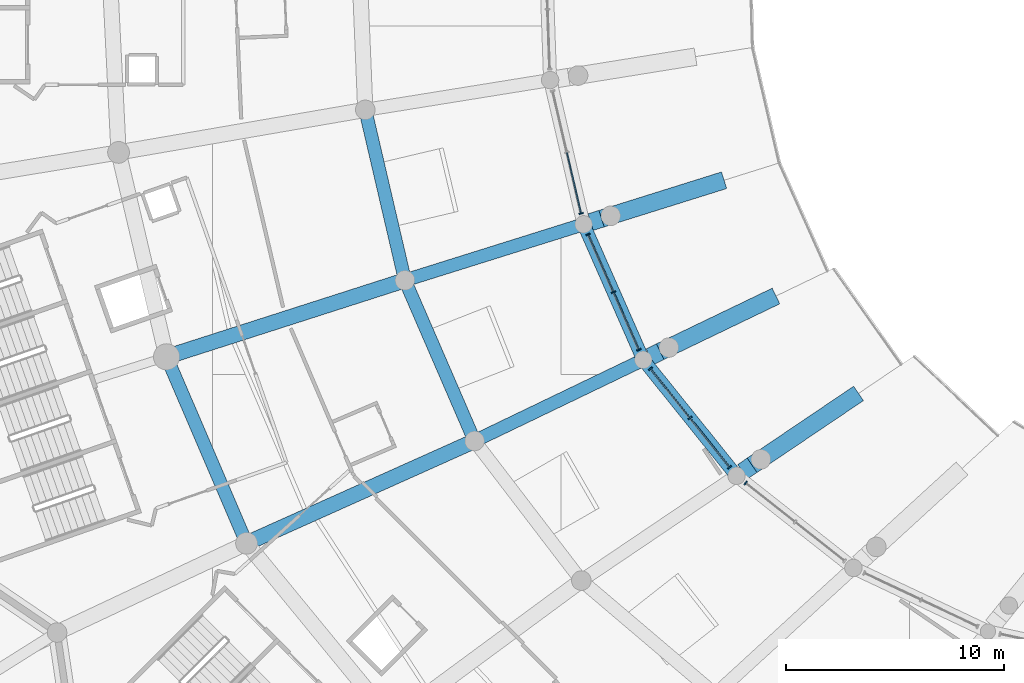
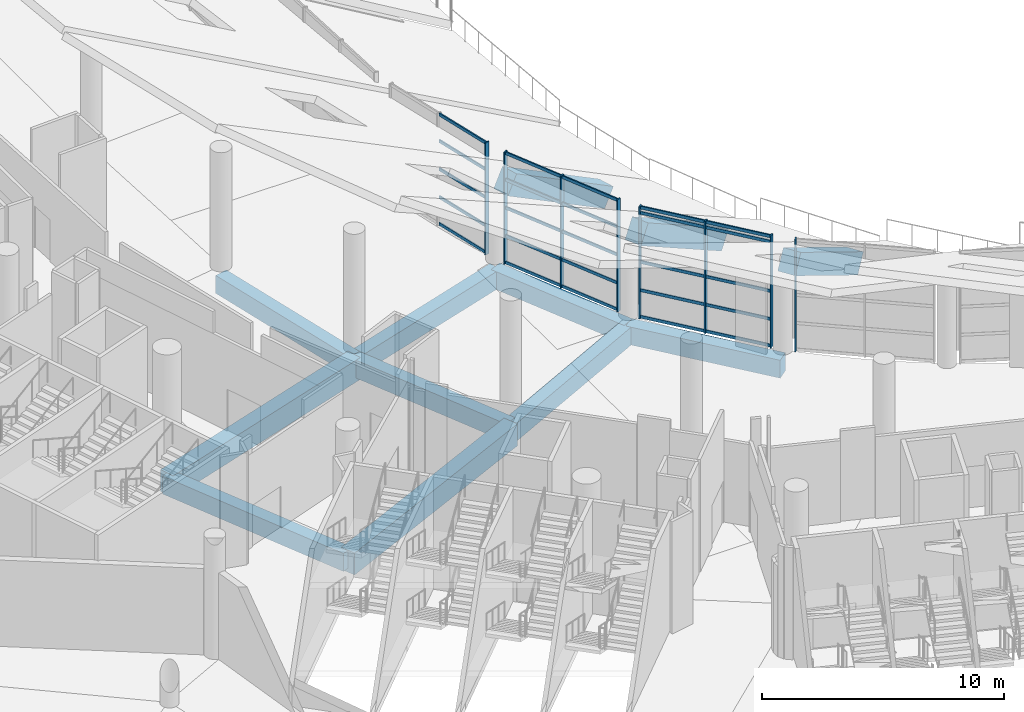
# One storey, part 11 of 249: 33 members, 12 beams, 4 elements without a shape of their own.
"""IFC4 building model written with IfcOpenShell, lengths in metres."""

from ifc_helpers import new_model, si_unit, direction, frame, origin, origin_2d, place, context, subcontext, project, spatial, rectangle, extrude, material, layer, layer_set, material_profile, profile_set, type_object, element, aggregate, save


model = new_model("IFC4")

# Units and contexts
model_context = context("Model", 3, precision=1e-05, world=origin(), true_north=direction((0.0, 1.0)))
body_context = subcontext(model_context, "Body", "Model", "MODEL_VIEW")
ifc_project = project(units=[si_unit("LENGTHUNIT", "METRE"), si_unit("AREAUNIT", "SQUARE_METRE"), si_unit("VOLUMEUNIT", "CUBIC_METRE"), si_unit("PLANEANGLEUNIT", "RADIAN"), si_unit("MASSUNIT", "GRAM", prefix="KILO")], contexts=[model_context])

# Site, building, storey
site_placement = place(None, origin())
site = spatial("IfcSite", under=ifc_project, at=site_placement, CompositionType="ELEMENT")
building_placement = place(site_placement, origin())
building = spatial("IfcBuilding", under=site, at=building_placement, Name="Meseta Stadium", CompositionType="ELEMENT")
storey_placement = place(building_placement, frame((0.0, 0.0, 12.0)))
storey = spatial("IfcBuildingStorey", under=building, at=storey_placement, Name="L02", CompositionType="ELEMENT", Elevation=12.0)

# Curtain wall, member
ifc_material_1 = material(Name="Aluminium", Category="aluminium")
ifc_layer = layer(ifc_material_1, 0.199951171875)
ifc_layer_set = layer_set([ifc_layer], Name="Suite glazing curtain wall")
curtain_wall_type = type_object("IfcCurtainWallType", Name="Suite glazing curtain wall", PredefinedType="NOTDEFINED", material=ifc_layer_set)
curtain_wall_1_placement = place(storey_placement, origin())
curtain_wall_1 = element("IfcCurtainWall", 1, at=curtain_wall_1_placement, inside=storey, type_object=curtain_wall_type, Name="Suite glazing bay 37", PredefinedType="NOTDEFINED")
ifc_material_2 = material(Name="Aluminium", Category="aluminium")
ifc_material_profile_1 = material_profile(ifc_material_2, rectangle(XDim=0.199951171875, YDim=0.06005859375, at=origin_2d()), Name="CW 200x60")
ifc_profile_set_1 = profile_set([ifc_material_profile_1], Name="Aluminium")
member_type_1 = type_object("IfcMemberType", Name="CW mullion 60x200", PredefinedType="MULLION", material=ifc_profile_set_1)
member_1_placement = place(storey_placement, frame((-63.0791015625, -56.607421875, 0.0), z_axis=(0.0, 0.0, 1.0), x_axis=(0.974092857522, 0.226148413492, 0.0)))
member_1 = element("IfcMember", 2, at=member_1_placement, type_object=member_type_1, Name="CWS mullion 3", PredefinedType="MULLION", context=body_context, shape_type="SweptSolid", body=[
    extrude(rectangle(XDim=0.199951171875, YDim=0.06005859375, at=origin_2d()), origin(), (0.0, 0.0, 1.0), 5.64990234375),
])

# Curtain wall, members
curtain_wall_2_placement = place(storey_placement, origin())
curtain_wall_2 = element("IfcCurtainWall", 3, at=curtain_wall_2_placement, inside=storey, type_object=curtain_wall_type, Name="Suite glazing bay 38", PredefinedType="NOTDEFINED")
member_2_placement = place(storey_placement, frame((-62.75732421875, -57.572998046875, 0.0), z_axis=(0.0, 0.0, 1.0), x_axis=(0.915207323968, 0.402983317466, 0.0)))
member_2 = element("IfcMember", 4, at=member_2_placement, type_object=member_type_1, Name="CWS mullion 1", PredefinedType="MULLION", context=body_context, shape_type="SweptSolid", body=[
    extrude(rectangle(XDim=0.199951171875, YDim=0.06005859375, at=origin_2d()), origin(), (0.0, 0.0, 1.0), 5.64990234375),
])
member_3_placement = place(storey_placement, frame((-61.59228515625, -60.21875, 0.0), z_axis=(0.0, 0.0, 1.0), x_axis=(0.915207323968, 0.402983317466, 0.0)))
member_3 = element("IfcMember", 5, at=member_3_placement, type_object=member_type_1, Name="CWS mullion 2", PredefinedType="MULLION", context=body_context, shape_type="SweptSolid", body=[
    extrude(rectangle(XDim=0.199951171875, YDim=0.06005859375, at=origin_2d()), origin(), (0.0, 0.0, 1.0), 5.64990234375),
])
member_4_placement = place(storey_placement, frame((-60.42724609375, -62.864501953125, 0.0), z_axis=(0.0, 0.0, 1.0), x_axis=(0.915207323968, 0.402983317466, 0.0)))
member_4 = element("IfcMember", 6, at=member_4_placement, type_object=member_type_1, Name="CWS mullion 3", PredefinedType="MULLION", context=body_context, shape_type="SweptSolid", body=[
    extrude(rectangle(XDim=0.199951171875, YDim=0.06005859375, at=origin_2d()), origin(), (0.0, 0.0, 1.0), 5.64990234375),
])

curtain_wall_3_placement = place(storey_placement, origin())
curtain_wall_3 = element("IfcCurtainWall", 7, at=curtain_wall_3_placement, inside=storey, type_object=curtain_wall_type, Name="Suite glazing bay 39", PredefinedType="NOTDEFINED")
member_5_placement = place(storey_placement, frame((-59.895263671875, -63.7373046875, 0.0), z_axis=(0.0, 0.0, 1.0), x_axis=(0.779453526357, 0.626460054791, 0.0)))
member_5 = element("IfcMember", 8, at=member_5_placement, type_object=member_type_1, Name="CWS mullion 1", PredefinedType="MULLION", context=body_context, shape_type="SweptSolid", body=[
    extrude(rectangle(XDim=0.199951171875, YDim=0.06005859375, at=origin_2d()), origin(), (0.0, 0.0, 1.0), 5.64990234375),
])
member_6_placement = place(storey_placement, frame((-58.07763671875, -65.998779296875, 0.0), z_axis=(0.0, 0.0, 1.0), x_axis=(0.779453526357, 0.626460054791, 0.0)))
member_6 = element("IfcMember", 9, at=member_6_placement, type_object=member_type_1, Name="CWS mullion 2", PredefinedType="MULLION", context=body_context, shape_type="SweptSolid", body=[
    extrude(rectangle(XDim=0.199951171875, YDim=0.06005859375, at=origin_2d()), origin(), (0.0, 0.0, 1.0), 5.64990234375),
])
member_7_placement = place(storey_placement, frame((-56.26025390625, -68.260009765625, 0.0), z_axis=(0.0, 0.0, 1.0), x_axis=(0.779453526357, 0.626460054791, 0.0)))
member_7 = element("IfcMember", 10, at=member_7_placement, type_object=member_type_1, Name="CWS mullion 3", PredefinedType="MULLION", context=body_context, shape_type="SweptSolid", body=[
    extrude(rectangle(XDim=0.199951171875, YDim=0.06005859375, at=origin_2d()), origin(), (0.0, 0.0, 1.0), 5.64990234375),
])

# Curtain wall, member
curtain_wall_4_placement = place(storey_placement, origin())
curtain_wall_4 = element("IfcCurtainWall", 11, at=curtain_wall_4_placement, inside=storey, type_object=curtain_wall_type, Name="Suite glazing bay 40", PredefinedType="NOTDEFINED")
member_8_placement = place(storey_placement, frame((-55.521728515625, -68.98779296875, 0.0), z_axis=(0.0, 0.0, 1.0), x_axis=(0.61894425509, 0.785434917158, 0.0)))
member_8 = element("IfcMember", 12, at=member_8_placement, type_object=member_type_1, Name="CWS mullion 1", PredefinedType="MULLION", context=body_context, shape_type="SweptSolid", body=[
    extrude(rectangle(XDim=0.199951171875, YDim=0.06005859375, at=origin_2d()), origin(), (0.0, 0.0, 1.0), 5.64990234375),
])
aggregate(curtain_wall_4, [member_8])

# Member
ifc_material_3 = material(Name="Aluminium", Category="aluminium")
ifc_material_profile_2 = material_profile(ifc_material_3, rectangle(XDim=0.06005859375, YDim=0.14990234375, at=origin_2d()), Name="CW 60x150")
ifc_profile_set_2 = profile_set([ifc_material_profile_2], Name="Aluminium")
member_type_2 = type_object("IfcMemberType", Name="CW transom 60x150", PredefinedType="USERDEFINED", material=ifc_profile_set_2)
member_9_placement = place(storey_placement, frame((-63.725830078125, -53.821044921875, 0.074951171875), z_axis=(0.226163322124, -0.974089396167, 0.0), x_axis=(0.974089396167, 0.226163322124, 0.0)))
member_9 = element("IfcMember", 13, at=member_9_placement, type_object=member_type_2, Name="CWS transom 2.1", ObjectType="TRANSOM", PredefinedType="USERDEFINED", context=body_context, shape_type="SweptSolid", body=[
    extrude(rectangle(XDim=0.06005859375, YDim=0.14990234375, at=origin_2d()), origin(), (0.0, 0.0, 1.0), 2.830322265625),
])

member_10_placement = place(storey_placement, frame((-63.725830078125, -53.821044921875, 1.41259765625), z_axis=(0.226163322124, -0.974089396167, 0.0), x_axis=(0.974089396167, 0.226163322124, 0.0)))
member_10 = element("IfcMember", 14, at=member_10_placement, type_object=member_type_2, Name="CWS transom 2.2", ObjectType="TRANSOM", PredefinedType="USERDEFINED", context=body_context, shape_type="SweptSolid", body=[
    extrude(rectangle(XDim=0.06005859375, YDim=0.14990234375, at=origin_2d()), origin(), (0.0, 0.0, 1.0), 2.830322265625),
])

member_11_placement = place(storey_placement, frame((-63.725830078125, -53.821044921875, 2.824951171875), z_axis=(0.226163322124, -0.974089396167, 0.0), x_axis=(0.974089396167, 0.226163322124, 0.0)))
member_11 = element("IfcMember", 15, at=member_11_placement, type_object=member_type_2, Name="CWS transom 2.3", ObjectType="TRANSOM", PredefinedType="USERDEFINED", context=body_context, shape_type="SweptSolid", body=[
    extrude(rectangle(XDim=0.06005859375, YDim=0.14990234375, at=origin_2d()), origin(), (0.0, 0.0, 1.0), 2.830322265625),
])

member_12_placement = place(storey_placement, frame((-63.725830078125, -53.821044921875, 4.237548828125), z_axis=(0.226163322124, -0.974089396167, 0.0), x_axis=(0.974089396167, 0.226163322124, 0.0)))
member_12 = element("IfcMember", 16, at=member_12_placement, type_object=member_type_2, Name="CWS transom 2.4", ObjectType="TRANSOM", PredefinedType="USERDEFINED", context=body_context, shape_type="SweptSolid", body=[
    extrude(rectangle(XDim=0.06005859375, YDim=0.14990234375, at=origin_2d()), origin(), (0.0, 0.0, 1.0), 2.830322265625),
])

member_13_placement = place(storey_placement, frame((-63.725830078125, -53.821044921875, 5.574951171875), z_axis=(0.226163322124, -0.974089396167, 0.0), x_axis=(0.974089396167, 0.226163322124, 0.0)))
member_13 = element("IfcMember", 17, at=member_13_placement, type_object=member_type_2, Name="CWS transom 2.5", ObjectType="TRANSOM", PredefinedType="USERDEFINED", context=body_context, shape_type="SweptSolid", body=[
    extrude(rectangle(XDim=0.06005859375, YDim=0.14990234375, at=origin_2d()), origin(), (0.0, 0.0, 1.0), 2.830322265625),
])

aggregate(curtain_wall_1, [member_1, member_9, member_10, member_11, member_12, member_13])

member_14_placement = place(storey_placement, frame((-62.7451171875, -57.600341796875, 0.074951171875), z_axis=(0.402935141114, -0.915228535425, 0.0), x_axis=(0.915228535425, 0.402935141114, 0.0)))
member_14 = element("IfcMember", 18, at=member_14_placement, type_object=member_type_2, Name="CWS transom 1.1", ObjectType="TRANSOM", PredefinedType="USERDEFINED", context=body_context, shape_type="SweptSolid", body=[
    extrude(rectangle(XDim=0.06005859375, YDim=0.14990234375, at=origin_2d()), origin(), (0.0, 0.0, 1.0), 2.830810546875),
])

member_15_placement = place(storey_placement, frame((-62.7451171875, -57.600341796875, 1.41259765625), z_axis=(0.402935141114, -0.915228535425, 0.0), x_axis=(0.915228535425, 0.402935141114, 0.0)))
member_15 = element("IfcMember", 19, at=member_15_placement, type_object=member_type_2, Name="CWS transom 1.2", ObjectType="TRANSOM", PredefinedType="USERDEFINED", context=body_context, shape_type="SweptSolid", body=[
    extrude(rectangle(XDim=0.06005859375, YDim=0.14990234375, at=origin_2d()), origin(), (0.0, 0.0, 1.0), 2.830810546875),
])

member_16_placement = place(storey_placement, frame((-62.7451171875, -57.600341796875, 2.824951171875), z_axis=(0.402935141114, -0.915228535425, 0.0), x_axis=(0.915228535425, 0.402935141114, 0.0)))
member_16 = element("IfcMember", 20, at=member_16_placement, type_object=member_type_2, Name="CWS transom 1.3", ObjectType="TRANSOM", PredefinedType="USERDEFINED", context=body_context, shape_type="SweptSolid", body=[
    extrude(rectangle(XDim=0.06005859375, YDim=0.14990234375, at=origin_2d()), origin(), (0.0, 0.0, 1.0), 2.830810546875),
])

member_17_placement = place(storey_placement, frame((-62.7451171875, -57.600341796875, 4.237548828125), z_axis=(0.402935141114, -0.915228535425, 0.0), x_axis=(0.915228535425, 0.402935141114, 0.0)))
member_17 = element("IfcMember", 21, at=member_17_placement, type_object=member_type_2, Name="CWS transom 1.4", ObjectType="TRANSOM", PredefinedType="USERDEFINED", context=body_context, shape_type="SweptSolid", body=[
    extrude(rectangle(XDim=0.06005859375, YDim=0.14990234375, at=origin_2d()), origin(), (0.0, 0.0, 1.0), 2.830810546875),
])

member_18_placement = place(storey_placement, frame((-62.7451171875, -57.600341796875, 5.574951171875), z_axis=(0.402935141114, -0.915228535425, 0.0), x_axis=(0.915228535425, 0.402935141114, 0.0)))
member_18 = element("IfcMember", 22, at=member_18_placement, type_object=member_type_2, Name="CWS transom 1.5", ObjectType="TRANSOM", PredefinedType="USERDEFINED", context=body_context, shape_type="SweptSolid", body=[
    extrude(rectangle(XDim=0.06005859375, YDim=0.14990234375, at=origin_2d()), origin(), (0.0, 0.0, 1.0), 2.830810546875),
])

member_19_placement = place(storey_placement, frame((-61.580322265625, -60.24609375, 0.074951171875), z_axis=(0.402975573282, -0.915210733841, 0.0), x_axis=(0.915210733841, 0.402975573282, 0.0)))
member_19 = element("IfcMember", 23, at=member_19_placement, type_object=member_type_2, Name="CWS transom 2.1", ObjectType="TRANSOM", PredefinedType="USERDEFINED", context=body_context, shape_type="SweptSolid", body=[
    extrude(rectangle(XDim=0.06005859375, YDim=0.14990234375, at=origin_2d()), origin(), (0.0, 0.0, 1.0), 2.8310546875),
])

member_20_placement = place(storey_placement, frame((-61.580322265625, -60.24609375, 1.41259765625), z_axis=(0.402975573282, -0.915210733841, 0.0), x_axis=(0.915210733841, 0.402975573282, 0.0)))
member_20 = element("IfcMember", 24, at=member_20_placement, type_object=member_type_2, Name="CWS transom 2.2", ObjectType="TRANSOM", PredefinedType="USERDEFINED", context=body_context, shape_type="SweptSolid", body=[
    extrude(rectangle(XDim=0.06005859375, YDim=0.14990234375, at=origin_2d()), origin(), (0.0, 0.0, 1.0), 2.8310546875),
])

member_21_placement = place(storey_placement, frame((-61.580322265625, -60.24609375, 2.824951171875), z_axis=(0.402975573282, -0.915210733841, 0.0), x_axis=(0.915210733841, 0.402975573282, 0.0)))
member_21 = element("IfcMember", 25, at=member_21_placement, type_object=member_type_2, Name="CWS transom 2.3", ObjectType="TRANSOM", PredefinedType="USERDEFINED", context=body_context, shape_type="SweptSolid", body=[
    extrude(rectangle(XDim=0.06005859375, YDim=0.14990234375, at=origin_2d()), origin(), (0.0, 0.0, 1.0), 2.8310546875),
])

member_22_placement = place(storey_placement, frame((-61.580322265625, -60.24609375, 4.237548828125), z_axis=(0.402975573282, -0.915210733841, 0.0), x_axis=(0.915210733841, 0.402975573282, 0.0)))
member_22 = element("IfcMember", 26, at=member_22_placement, type_object=member_type_2, Name="CWS transom 2.4", ObjectType="TRANSOM", PredefinedType="USERDEFINED", context=body_context, shape_type="SweptSolid", body=[
    extrude(rectangle(XDim=0.06005859375, YDim=0.14990234375, at=origin_2d()), origin(), (0.0, 0.0, 1.0), 2.8310546875),
])

member_23_placement = place(storey_placement, frame((-61.580322265625, -60.24609375, 5.574951171875), z_axis=(0.402975573282, -0.915210733841, 0.0), x_axis=(0.915210733841, 0.402975573282, 0.0)))
member_23 = element("IfcMember", 27, at=member_23_placement, type_object=member_type_2, Name="CWS transom 2.5", ObjectType="TRANSOM", PredefinedType="USERDEFINED", context=body_context, shape_type="SweptSolid", body=[
    extrude(rectangle(XDim=0.06005859375, YDim=0.14990234375, at=origin_2d()), origin(), (0.0, 0.0, 1.0), 2.8310546875),
])

aggregate(curtain_wall_2, [member_2, member_3, member_4, member_14, member_15, member_16, member_17, member_18, member_19, member_20, member_21, member_22, member_23])

member_24_placement = place(storey_placement, frame((-59.87646484375, -63.760498046875, 0.074951171875), z_axis=(0.626443314889, -0.779466980205, 0.0), x_axis=(0.779466980205, 0.626443314889, 0.0)))
member_24 = element("IfcMember", 28, at=member_24_placement, type_object=member_type_2, Name="CWS transom 1.1", ObjectType="TRANSOM", PredefinedType="USERDEFINED", context=body_context, shape_type="SweptSolid", body=[
    extrude(rectangle(XDim=0.06005859375, YDim=0.14990234375, at=origin_2d()), origin(), (0.0, 0.0, 1.0), 2.841552734375),
])

member_25_placement = place(storey_placement, frame((-59.87646484375, -63.760498046875, 1.41259765625), z_axis=(0.626443314889, -0.779466980205, 0.0), x_axis=(0.779466980205, 0.626443314889, 0.0)))
member_25 = element("IfcMember", 29, at=member_25_placement, type_object=member_type_2, Name="CWS transom 1.2", ObjectType="TRANSOM", PredefinedType="USERDEFINED", context=body_context, shape_type="SweptSolid", body=[
    extrude(rectangle(XDim=0.06005859375, YDim=0.14990234375, at=origin_2d()), origin(), (0.0, 0.0, 1.0), 2.841552734375),
])

member_26_placement = place(storey_placement, frame((-59.87646484375, -63.760498046875, 2.824951171875), z_axis=(0.626443314889, -0.779466980205, 0.0), x_axis=(0.779466980205, 0.626443314889, 0.0)))
member_26 = element("IfcMember", 30, at=member_26_placement, type_object=member_type_2, Name="CWS transom 1.3", ObjectType="TRANSOM", PredefinedType="USERDEFINED", context=body_context, shape_type="SweptSolid", body=[
    extrude(rectangle(XDim=0.06005859375, YDim=0.14990234375, at=origin_2d()), origin(), (0.0, 0.0, 1.0), 2.841552734375),
])

member_27_placement = place(storey_placement, frame((-59.87646484375, -63.760498046875, 5.307373046875), z_axis=(0.626443314889, -0.779466980205, 0.0), x_axis=(0.779466980205, 0.626443314889, 0.0)))
member_27 = element("IfcMember", 31, at=member_27_placement, type_object=member_type_2, Name="CWS transom 1.4", ObjectType="TRANSOM", PredefinedType="USERDEFINED", context=body_context, shape_type="SweptSolid", body=[
    extrude(rectangle(XDim=0.06005859375, YDim=0.14990234375, at=origin_2d()), origin(), (0.0, 0.0, 1.0), 2.841552734375),
])

member_28_placement = place(storey_placement, frame((-59.87646484375, -63.760498046875, 5.574951171875), z_axis=(0.626443314889, -0.779466980205, 0.0), x_axis=(0.779466980205, 0.626443314889, 0.0)))
member_28 = element("IfcMember", 32, at=member_28_placement, type_object=member_type_2, Name="CWS transom 1.5", ObjectType="TRANSOM", PredefinedType="USERDEFINED", context=body_context, shape_type="SweptSolid", body=[
    extrude(rectangle(XDim=0.06005859375, YDim=0.14990234375, at=origin_2d()), origin(), (0.0, 0.0, 1.0), 2.841552734375),
])

member_29_placement = place(storey_placement, frame((-58.058837890625, -66.02197265625, 0.074951171875), z_axis=(0.626391108316, -0.779508934793, 0.0), x_axis=(0.779508934793, 0.626391108316, 0.0)))
member_29 = element("IfcMember", 33, at=member_29_placement, type_object=member_type_2, Name="CWS transom 2.1", ObjectType="TRANSOM", PredefinedType="USERDEFINED", context=body_context, shape_type="SweptSolid", body=[
    extrude(rectangle(XDim=0.06005859375, YDim=0.14990234375, at=origin_2d()), origin(), (0.0, 0.0, 1.0), 2.84130859375),
])

member_30_placement = place(storey_placement, frame((-58.058837890625, -66.02197265625, 1.41259765625), z_axis=(0.626391108316, -0.779508934793, 0.0), x_axis=(0.779508934793, 0.626391108316, 0.0)))
member_30 = element("IfcMember", 34, at=member_30_placement, type_object=member_type_2, Name="CWS transom 2.2", ObjectType="TRANSOM", PredefinedType="USERDEFINED", context=body_context, shape_type="SweptSolid", body=[
    extrude(rectangle(XDim=0.06005859375, YDim=0.14990234375, at=origin_2d()), origin(), (0.0, 0.0, 1.0), 2.84130859375),
])

member_31_placement = place(storey_placement, frame((-58.058837890625, -66.02197265625, 2.824951171875), z_axis=(0.626391108316, -0.779508934793, 0.0), x_axis=(0.779508934793, 0.626391108316, 0.0)))
member_31 = element("IfcMember", 35, at=member_31_placement, type_object=member_type_2, Name="CWS transom 2.3", ObjectType="TRANSOM", PredefinedType="USERDEFINED", context=body_context, shape_type="SweptSolid", body=[
    extrude(rectangle(XDim=0.06005859375, YDim=0.14990234375, at=origin_2d()), origin(), (0.0, 0.0, 1.0), 2.84130859375),
])

member_32_placement = place(storey_placement, frame((-58.058837890625, -66.02197265625, 5.307373046875), z_axis=(0.626391108316, -0.779508934793, 0.0), x_axis=(0.779508934793, 0.626391108316, 0.0)))
member_32 = element("IfcMember", 36, at=member_32_placement, type_object=member_type_2, Name="CWS transom 2.4", ObjectType="TRANSOM", PredefinedType="USERDEFINED", context=body_context, shape_type="SweptSolid", body=[
    extrude(rectangle(XDim=0.06005859375, YDim=0.14990234375, at=origin_2d()), origin(), (0.0, 0.0, 1.0), 2.84130859375),
])

member_33_placement = place(storey_placement, frame((-58.058837890625, -66.02197265625, 5.574951171875), z_axis=(0.626391108316, -0.779508934793, 0.0), x_axis=(0.779508934793, 0.626391108316, 0.0)))
member_33 = element("IfcMember", 37, at=member_33_placement, type_object=member_type_2, Name="CWS transom 2.5", ObjectType="TRANSOM", PredefinedType="USERDEFINED", context=body_context, shape_type="SweptSolid", body=[
    extrude(rectangle(XDim=0.06005859375, YDim=0.14990234375, at=origin_2d()), origin(), (0.0, 0.0, 1.0), 2.84130859375),
])

aggregate(curtain_wall_3, [member_5, member_6, member_7, member_24, member_25, member_26, member_27, member_28, member_29, member_30, member_31, member_32, member_33])

# Beams
ifc_material_4 = material(Name="Concrete C40/50", Category="concrete")
ifc_material_profile_3 = material_profile(ifc_material_4, rectangle(XDim=0.60009765625, YDim=0.89990234375, at=origin_2d()), Name="RC 600x900")
ifc_profile_set_3 = profile_set([ifc_material_profile_3], Name="Concrete C40/50")
beam_type_1 = type_object("IfcBeamType", Name="RC beam 600x900", PredefinedType="BEAM", material=ifc_profile_set_3)
beam_1_placement = place(storey_placement, frame((-72.9921875, -51.84716796875, -0.800048828125), z_axis=(0.226697740265, -0.973965160855, 0.0), x_axis=(0.973965160855, 0.226697740265, 0.0)))
element("IfcBeam", 38, at=beam_1_placement, inside=storey, type_object=beam_type_1, Name="L02 ring beam frame 37 line E", PredefinedType="BEAM", context=body_context, shape_type="SweptSolid", body=[
    extrude(rectangle(XDim=0.60009765625, YDim=0.89990234375, at=origin_2d()), origin(), (0.0, 0.0, 1.0), 8.039306640625),
])
beam_2_placement = place(storey_placement, frame((-62.963623046875, -57.1044921875, -0.800048828125), z_axis=(0.402982741988, -0.915207577361, 0.0), x_axis=(0.915207577361, 0.402982741988, 0.0)))
element("IfcBeam", 39, at=beam_2_placement, inside=storey, type_object=beam_type_1, Name="L02 ring beam frame 38 line D", PredefinedType="BEAM", context=body_context, shape_type="SweptSolid", body=[
    extrude(rectangle(XDim=0.60009765625, YDim=0.89990234375, at=origin_2d()), origin(), (0.0, 0.0, 1.0), 6.802978515625),
])
beam_3_placement = place(storey_placement, frame((-71.169677734375, -59.67724609375, -0.800048828125), z_axis=(0.397502661884, -0.91760102103, 0.0), x_axis=(0.91760102103, 0.397502661884, 0.0)))
element("IfcBeam", 40, at=beam_3_placement, inside=storey, type_object=beam_type_1, Name="L02 ring beam frame 38 line E", PredefinedType="BEAM", context=body_context, shape_type="SweptSolid", body=[
    extrude(rectangle(XDim=0.60009765625, YDim=0.89990234375, at=origin_2d()), origin(), (0.0, 0.0, 1.0), 8.04345703125),
])
beam_4_placement = place(storey_placement, frame((-82.119873046875, -63.191162109375, -0.800048828125), z_axis=(0.394270200779, -0.918994564063, 0.0), x_axis=(0.918994564063, 0.394270200779, 0.0)))
element("IfcBeam", 41, at=beam_4_placement, inside=storey, type_object=beam_type_1, Name="L02 ring beam frame 38 line P", PredefinedType="BEAM", context=body_context, shape_type="SweptSolid", body=[
    extrude(rectangle(XDim=0.60009765625, YDim=0.89990234375, at=origin_2d()), origin(), (0.0, 0.0, 1.0), 9.31982421875),
])
beam_5_placement = place(storey_placement, frame((-60.22216796875, -63.33056640625, -0.800048828125), z_axis=(0.626466293445, -0.779448512204, 0.0), x_axis=(0.779448512204, 0.626466293445, 0.0)))
element("IfcBeam", 42, at=beam_5_placement, inside=storey, type_object=beam_type_1, Name="L02 ring beam frame 39 line D", PredefinedType="BEAM", context=body_context, shape_type="SweptSolid", body=[
    extrude(rectangle(XDim=0.60009765625, YDim=0.89990234375, at=origin_2d()), origin(), (0.0, 0.0, 1.0), 6.835205078125),
])
for number, where, z_axis, x_axis, name in (
    (43, (-62.963623046875, -57.1044921875, -0.800048828125), (-0.9542027514, -0.299160674588, 0.0), (0.299160674588, -0.9542027514, 0.0), "L02 radial beam frame 38 line D to E"),
    (44, (-60.22216796875, -63.33056640625, -0.800048828125), (-0.901197200503, -0.433409282094, 0.0), (0.433409282094, -0.901197200503, 0.0), "L02 radial beam frame 39 line D to E"),
):
    element("IfcBeam", number, at=place(storey_placement, frame(where, z_axis=z_axis, x_axis=x_axis)), inside=storey, type_object=beam_type_1, Name=name, PredefinedType="BEAM", context=body_context, shape_type="SweptSolid", body=[
        extrude(rectangle(XDim=0.60009765625, YDim=0.89990234375, at=origin_2d()), origin(), (0.0, 0.0, 1.0), 8.599853515625),
    ])
ifc_material_5 = material(Name="Concrete C40/50", Category="concrete")
ifc_material_profile_4 = material_profile(ifc_material_5, rectangle(XDim=0.699951171875, YDim=1.10009765625, at=origin_2d()), Name="RC 700x1100")
ifc_profile_set_4 = profile_set([ifc_material_profile_4], Name="Concrete C40/50")
beam_type_2 = type_object("IfcBeamType", Name="RC beam 700x1100", PredefinedType="BEAM", material=ifc_profile_set_4)
beam_6_placement = place(storey_placement, frame((-71.169677734375, -59.67724609375, -0.89990234375), z_axis=(-0.952175117954, -0.305552850992, 0.0), x_axis=(0.305552850992, -0.952175117954, 0.0)))
element("IfcBeam", 45, at=beam_6_placement, inside=storey, type_object=beam_type_2, Name="L02 radial beam frame 38 line E to P", PredefinedType="BEAM", context=body_context, shape_type="SweptSolid", body=[
    extrude(rectangle(XDim=0.699951171875, YDim=1.10009765625, at=origin_2d()), origin(), (0.0, 0.0, 1.0), 11.500244140625),
])
beam_7_placement = place(storey_placement, frame((-67.972412109375, -67.057861328125, -0.89990234375), z_axis=(-0.912395676752, -0.409309331734, 0.0), x_axis=(0.409309331734, -0.912395676752, 0.0)))
element("IfcBeam", 46, at=beam_7_placement, inside=storey, type_object=beam_type_2, Name="L02 radial beam frame 39 line E to P", PredefinedType="BEAM", context=body_context, shape_type="SweptSolid", body=[
    extrude(rectangle(XDim=0.699951171875, YDim=1.10009765625, at=origin_2d()), origin(), (0.0, 0.0, 1.0), 11.478515625),
])
ifc_material_6 = material(Name="Concrete C40/50", Category="concrete")
ifc_material_profile_5 = material_profile(ifc_material_6, rectangle(XDim=0.800048828125, YDim=1.0, at=origin_2d()), Name="RC 800x1000")
ifc_profile_set_5 = profile_set([ifc_material_profile_5], Name="Concrete C40/50")
beam_type_3 = type_object("IfcBeamType", Name="RC raker upper front 800x1000", PredefinedType="USERDEFINED", material=ifc_profile_set_5)
for number, where, z_axis, x_axis, name in (
    (47, (-56.76123046875, -55.159912109375, -0.055419921875), (-0.809742926729, -0.253843522, 0.529036727411), (0.299132503643, -0.95421158307, 0.0), "Raker upper front frame 38 upper tier"),
    (48, (-54.3642578125, -60.513427734375, 0.200927734375), (-0.764771792007, -0.367795571398, 0.529009001634), (0.433406251215, -0.901198658126, 0.0), "Raker upper front frame 39 upper tier"),
    (49, (-50.552978515625, -65.021240234375, 0.368896484375), (-0.703348599251, -0.474821755321, 0.529003826646), (0.559522600804, -0.828815093485, 0.0), "Raker upper front frame 40 upper tier"),
):
    element("IfcBeam", number, at=place(storey_placement, frame(where, z_axis=z_axis, x_axis=x_axis)), inside=storey, type_object=beam_type_3, Name=name, ObjectType="RAKER", PredefinedType="USERDEFINED", context=body_context, shape_type="SweptSolid", body=[
        extrude(rectangle(XDim=0.800048828125, YDim=1.0, at=origin_2d()), origin(), (0.0, 0.0, 1.0), 6.95263671875),
    ])

save(model, "model.ifc")
